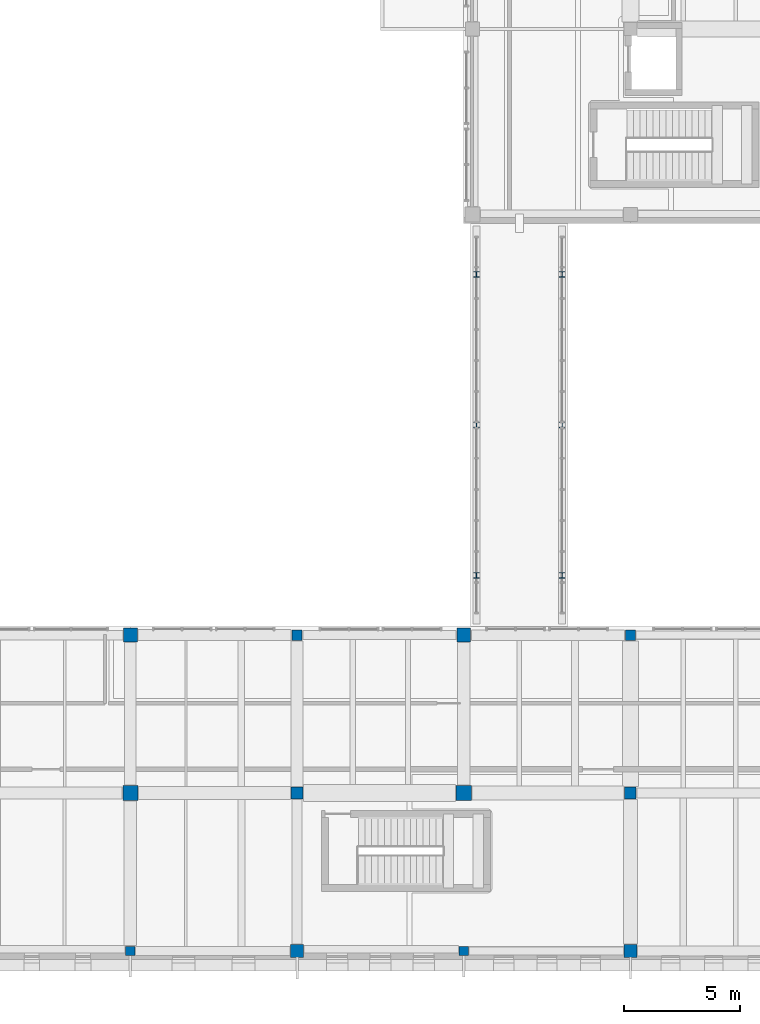
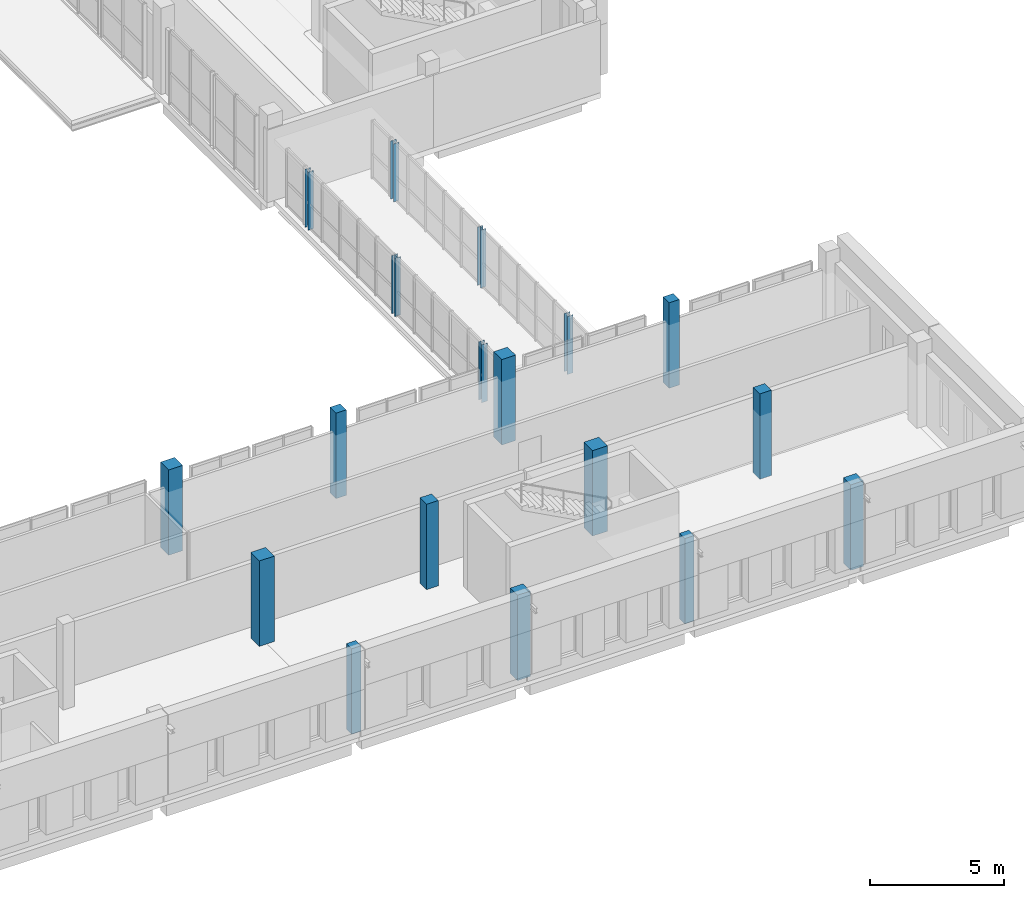
# One storey, part 5 of 76: 18 columns.
"""IFC4 building model written with IfcOpenShell, lengths in metres."""

from ifc_helpers import new_model, si_unit, direction, frame, origin, origin_2d, place, context, subcontext, project, spatial, rectangle, i_section, extrude, material, material_profile, profile_set, type_object, element, save


model = new_model("IFC4")

# Units and contexts
model_context = context("Model", 3, precision=1e-05, world=origin(), true_north=direction((0.0, 1.0)))
body_context = subcontext(model_context, "Body", "Model", "MODEL_VIEW")
ifc_project = project(units=[si_unit("LENGTHUNIT", "METRE"), si_unit("AREAUNIT", "SQUARE_METRE"), si_unit("VOLUMEUNIT", "CUBIC_METRE"), si_unit("PLANEANGLEUNIT", "RADIAN"), si_unit("MASSUNIT", "GRAM", prefix="KILO")], contexts=[model_context])

# Site, building, storey
site_placement = place(None, origin())
site = spatial("IfcSite", under=ifc_project, at=site_placement, CompositionType="ELEMENT")
building_placement = place(site_placement, origin())
building = spatial("IfcBuilding", under=site, at=building_placement, Name="Vardoun Plaza Health Centre", CompositionType="ELEMENT")
storey_placement = place(building_placement, frame((0.0, 0.0, 4.5)))
storey = spatial("IfcBuildingStorey", under=building, at=storey_placement, Name="L01", CompositionType="ELEMENT", Elevation=4.5)

# Columns
ifc_material_1 = material(Name="Concrete C40/50", Category="concrete")
ifc_material_profile_1 = material_profile(ifc_material_1, rectangle(XDim=0.39990234375, YDim=0.39990234375, at=origin_2d()), Name="RC-COL 400x400")
ifc_profile_set_1 = profile_set([ifc_material_profile_1], Name="Concrete C40/50")
column_type_1 = type_object("IfcColumnType", Name="C-08", PredefinedType="COLUMN", material=ifc_profile_set_1)
for number, where, z_axis, x_axis, name in (
    (1, (136.5, 4.8798828125, 0.0), (0.0, 0.0, 1.0), (1.0, 0.0, 0.0), "V5 L01 Column C-V5-13"),
    (2, (150.89990234375, 4.8798828125, 0.0), (0.0, 0.0, 1.0), (1.0, 0.0, 0.0), "V5 L01 Column C-V5-19"),
):
    element("IfcColumn", number, at=place(storey_placement, frame(where, z_axis=z_axis, x_axis=x_axis)), inside=storey, type_object=column_type_1, Name=name, PredefinedType="COLUMN", context=body_context, shape_type="SweptSolid", body=[
        extrude(rectangle(XDim=0.39990234375, YDim=0.39990234375, at=origin_2d()), origin(), (0.0, 0.0, 1.0), 3.905029296875),
    ])
ifc_material_2 = material(Name="Concrete C40/50", Category="concrete")
ifc_material_profile_2 = material_profile(ifc_material_2, rectangle(XDim=0.449951171875, YDim=0.449951171875, at=origin_2d()), Name="RC-COL 450x450")
ifc_profile_set_2 = profile_set([ifc_material_profile_2], Name="Concrete C40/50")
column_type_2 = type_object("IfcColumnType", Name="C-07", PredefinedType="COLUMN", material=ifc_profile_set_2)
for number, where, z_axis, x_axis, name in (
    (3, (143.699951171875, 18.52001953125, 0.0), (0.0, 0.0, 1.0), (1.0, 0.0, 0.0), "V5 L01 Column C-V5-18"),
    (4, (158.10009765625, 18.52001953125, 0.0), (0.0, 0.0, 1.0), (1.0, 0.0, 0.0), "V5 L01 Column C-V5-24"),
):
    element("IfcColumn", number, at=place(storey_placement, frame(where, z_axis=z_axis, x_axis=x_axis)), inside=storey, type_object=column_type_2, Name=name, PredefinedType="COLUMN", context=body_context, shape_type="SweptSolid", body=[
        extrude(rectangle(XDim=0.449951171875, YDim=0.449951171875, at=origin_2d()), origin(), (0.0, 0.0, 1.0), 3.905029296875),
    ])
ifc_material_3 = material(Name="Concrete C40/50", Category="concrete")
ifc_material_profile_3 = material_profile(ifc_material_3, rectangle(XDim=0.5, YDim=0.5, at=origin_2d()), Name="RC-COL 500x500")
ifc_profile_set_3 = profile_set([ifc_material_profile_3], Name="Concrete C40/50")
column_type_3 = type_object("IfcColumnType", Name="C-06", PredefinedType="COLUMN", material=ifc_profile_set_3)
for number, where, z_axis, x_axis, name in (
    (5, (143.699951171875, 11.699951171875, 0.0), (0.0, 0.0, 1.0), (1.0, 0.0, 0.0), "V5 L01 Column C-V5-17"),
    (6, (158.10009765625, 11.699951171875, 0.0), (0.0, 0.0, 1.0), (1.0, 0.0, 0.0), "V5 L01 Column C-V5-23"),
):
    element("IfcColumn", number, at=place(storey_placement, frame(where, z_axis=z_axis, x_axis=x_axis)), inside=storey, type_object=column_type_3, Name=name, PredefinedType="COLUMN", context=body_context, shape_type="SweptSolid", body=[
        extrude(rectangle(XDim=0.5, YDim=0.5, at=origin_2d()), origin(), (0.0, 0.0, 1.0), 3.905029296875),
    ])
ifc_material_4 = material(Name="Concrete C40/50", Category="concrete")
ifc_material_profile_4 = material_profile(ifc_material_4, rectangle(XDim=0.550048828125, YDim=0.550048828125, at=origin_2d()), Name="RC-COL 550x550")
ifc_profile_set_4 = profile_set([ifc_material_profile_4], Name="Concrete C40/50")
column_type_4 = type_object("IfcColumnType", Name="C-05", PredefinedType="COLUMN", material=ifc_profile_set_4)
for number, where, z_axis, x_axis, name in (
    (7, (143.699951171875, 4.8798828125, 0.0), (0.0, 0.0, 1.0), (1.0, 0.0, 0.0), "V5 L01 Column C-V5-16"),
    (8, (158.10009765625, 4.8798828125, 0.0), (0.0, 0.0, 1.0), (1.0, 0.0, 0.0), "V5 L01 Column C-V5-22"),
):
    element("IfcColumn", number, at=place(storey_placement, frame(where, z_axis=z_axis, x_axis=x_axis)), inside=storey, type_object=column_type_4, Name=name, PredefinedType="COLUMN", context=body_context, shape_type="SweptSolid", body=[
        extrude(rectangle(XDim=0.550048828125, YDim=0.550048828125, at=origin_2d()), origin(), (0.0, 0.0, 1.0), 3.905029296875),
    ])
ifc_material_5 = material(Name="Concrete C40/50", Category="concrete")
ifc_material_profile_5 = material_profile(ifc_material_5, rectangle(XDim=0.60009765625, YDim=0.60009765625, at=origin_2d()), Name="RC-COL 600x600")
ifc_profile_set_5 = profile_set([ifc_material_profile_5], Name="Concrete C40/50")
column_type_5 = type_object("IfcColumnType", Name="C-04", PredefinedType="COLUMN", material=ifc_profile_set_5)
for number, where, z_axis, x_axis, name in (
    (9, (136.5, 18.52001953125, 0.0), (0.0, 0.0, 1.0), (1.0, 0.0, 0.0), "V5 L01 Column C-V5-15"),
    (10, (150.89990234375, 18.52001953125, 0.0), (0.0, 0.0, 1.0), (1.0, 0.0, 0.0), "V5 L01 Column C-V5-21"),
):
    element("IfcColumn", number, at=place(storey_placement, frame(where, z_axis=z_axis, x_axis=x_axis)), inside=storey, type_object=column_type_5, Name=name, PredefinedType="COLUMN", context=body_context, shape_type="SweptSolid", body=[
        extrude(rectangle(XDim=0.60009765625, YDim=0.60009765625, at=origin_2d()), origin(), (0.0, 0.0, 1.0), 3.905029296875),
    ])
ifc_material_6 = material(Name="Concrete C40/50", Category="concrete")
ifc_material_profile_6 = material_profile(ifc_material_6, rectangle(XDim=0.64990234375, YDim=0.64990234375, at=origin_2d()), Name="RC-COL 650x650")
ifc_profile_set_6 = profile_set([ifc_material_profile_6], Name="Concrete C40/50")
column_type_6 = type_object("IfcColumnType", Name="C-03", PredefinedType="COLUMN", material=ifc_profile_set_6)
for number, where, z_axis, x_axis, name in (
    (11, (136.5, 11.699951171875, 0.0), (0.0, 0.0, 1.0), (1.0, 0.0, 0.0), "V5 L01 Column C-V5-14"),
    (12, (150.89990234375, 11.699951171875, 0.0), (0.0, 0.0, 1.0), (1.0, 0.0, 0.0), "V5 L01 Column C-V5-20"),
):
    element("IfcColumn", number, at=place(storey_placement, frame(where, z_axis=z_axis, x_axis=x_axis)), inside=storey, type_object=column_type_6, Name=name, PredefinedType="COLUMN", context=body_context, shape_type="SweptSolid", body=[
        extrude(rectangle(XDim=0.64990234375, YDim=0.64990234375, at=origin_2d()), origin(), (0.0, 0.0, 1.0), 3.905029296875),
    ])
ifc_material_7 = material(Name="Steel S355J2", Category="steel")
ifc_material_profile_7 = material_profile(ifc_material_7, i_section(OverallWidth=0.239990234375, OverallDepth=0.239990234375, WebThickness=0.010009765625, FlangeThickness=0.01708984375, FilletRadius=0.02099609375, at=origin_2d()), Name="HEB 240")
ifc_profile_set_7 = profile_set([ifc_material_profile_7], Name="Steel S355J2")
column_type_7 = type_object("IfcColumnType", Name="C-19", PredefinedType="COLUMN", material=ifc_profile_set_7)
for number, where, z_axis, x_axis, name in (
    (13, (151.449951171875, 21.10009765625, 0.0), (0.0, 0.0, 1.0), (1.0, 0.0, 0.0), "Bridge BR-05 Canopy Post W.1"),
    (14, (151.449951171875, 27.60009765625, 0.0), (0.0, 0.0, 1.0), (1.0, 0.0, 0.0), "Bridge BR-05 Canopy Post W.2"),
    (15, (151.449951171875, 34.10009765625, 0.0), (0.0, 0.0, 1.0), (1.0, 0.0, 0.0), "Bridge BR-05 Canopy Post W.3"),
    (16, (155.14990234375, 21.10009765625, 0.0), (0.0, 0.0, 1.0), (1.0, 0.0, 0.0), "Bridge BR-05 Canopy Post E.1"),
    (17, (155.14990234375, 27.60009765625, 0.0), (0.0, 0.0, 1.0), (1.0, 0.0, 0.0), "Bridge BR-05 Canopy Post E.2"),
    (18, (155.14990234375, 34.10009765625, 0.0), (0.0, 0.0, 1.0), (1.0, 0.0, 0.0), "Bridge BR-05 Canopy Post E.3"),
):
    element("IfcColumn", number, at=place(storey_placement, frame(where, z_axis=z_axis, x_axis=x_axis)), inside=storey, type_object=column_type_7, Name=name, PredefinedType="COLUMN", context=body_context, shape_type="SweptSolid", body=[
        extrude(i_section(OverallWidth=0.239990234375, OverallDepth=0.239990234375, WebThickness=0.010009765625, FlangeThickness=0.01708984375, FilletRadius=0.02099609375, at=origin_2d()), origin(), (0.0, 0.0, 1.0), 2.64990234375),
    ])

save(model, "model.ifc")
